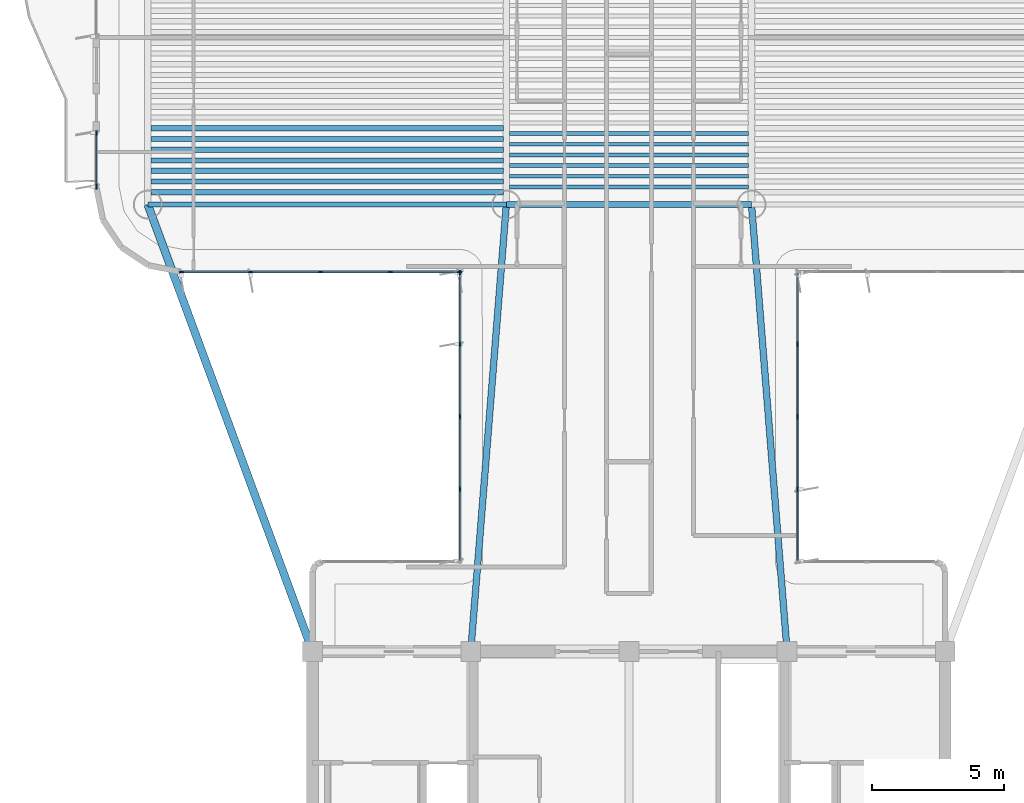
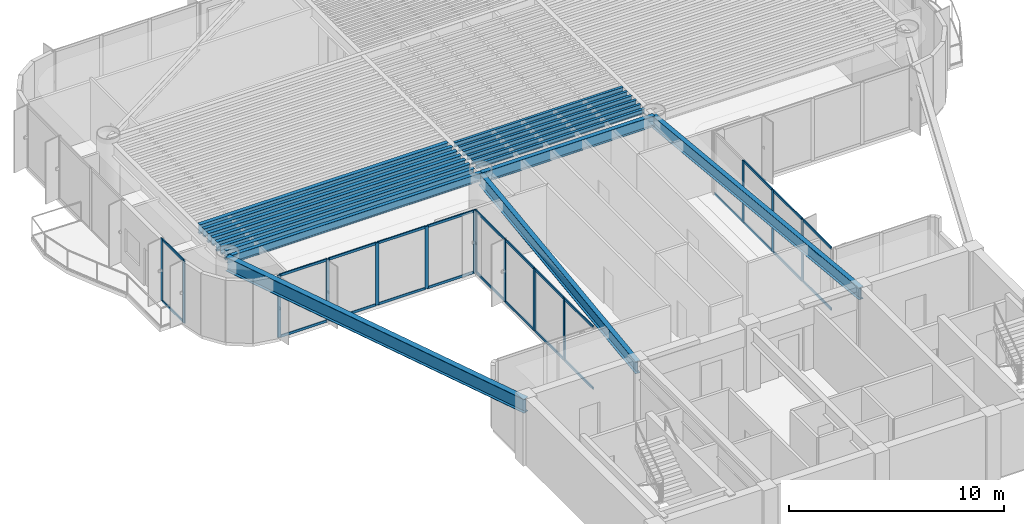
# One storey, part 3 of 15: 39 members, 18 beams, 4 elements without a shape of their own.
"""IFC4 building model written with IfcOpenShell, lengths in metres."""

from ifc_helpers import new_model, si_unit, direction, frame, origin, origin_2d, place, context, subcontext, project, spatial, rectangle, i_section, extrude, source, transform, mapped, material, layer, layer_set, material_profile, profile_set, type_object, element, aggregate, save


model = new_model("IFC4")

# Units and contexts
model_context = context("Model", 3, precision=1e-05, world=origin(), true_north=direction((0.0, 1.0)))
body_context = subcontext(model_context, "Body", "Model", "MODEL_VIEW")
ifc_project = project(units=[si_unit("LENGTHUNIT", "METRE"), si_unit("AREAUNIT", "SQUARE_METRE"), si_unit("VOLUMEUNIT", "CUBIC_METRE"), si_unit("PLANEANGLEUNIT", "RADIAN"), si_unit("MASSUNIT", "GRAM", prefix="KILO")], contexts=[model_context])

# Site, building, storey
site_placement = place(None, origin())
site = spatial("IfcSite", under=ifc_project, at=site_placement, CompositionType="ELEMENT")
building_placement = place(site_placement, origin())
building = spatial("IfcBuilding", under=site, at=building_placement, Name="Brelvock Crest Care Tower", CompositionType="ELEMENT")
storey_placement = place(building_placement, frame((0.0, 0.0, 163.97998046875)))
storey = spatial("IfcBuildingStorey", under=building, at=storey_placement, Name="L41", CompositionType="ELEMENT", Elevation=163.97998046875)

# Beams
ifc_material_1 = material(Name="Steel Grade 350", Category="steel")
ifc_material_profile_1 = material_profile(ifc_material_1, i_section(OverallWidth=0.22900390625, OverallDepth=0.612060546875, WebThickness=0.011962890625, FlangeThickness=0.01953125, FilletRadius=0.013916015625, at=origin_2d()), Name="610UB125")
ifc_profile_set_1 = profile_set([ifc_material_profile_1], Name="Steel Grade 350")
beam_type_1 = type_object("IfcBeamType", Name="BM-G1", PredefinedType="BEAM", material=ifc_profile_set_1)
shared_shape_1 = source(origin(), body_context, "Body", "SweptSolid", [
    extrude(i_section(OverallWidth=0.22900390625, OverallDepth=0.612060546875, WebThickness=0.011962890625, FlangeThickness=0.01953125, FilletRadius=0.013916015625, at=origin_2d()), origin(), (0.0, 0.0, 1.0), 9.2998046875),
])
beam_1_placement = place(storey_placement, frame((31.35009765625, 34.949951171875, 3.22412109375), z_axis=(1.0, 0.0, 0.0), x_axis=(0.0, 1.0, 0.0)))
element("IfcBeam", 1, at=beam_1_placement, inside=storey, type_object=beam_type_1, Name="BM-TWR-L41-05", PredefinedType="BEAM", context=body_context, shape_type="MappedRepresentation", body=[
    mapped(shared_shape_1, transform((0.0, 0.0, 0.0), x_axis=(1.0, 0.0, 0.0), y_axis=(0.0, 1.0, 0.0), z_axis=(0.0, 0.0, 1.0), scale=1.0)),
])
ifc_material_profile_2 = material_profile(ifc_material_1, i_section(OverallWidth=0.14599609375, OverallDepth=0.256103515625, WebThickness=0.00634765625, FlangeThickness=0.010986328125, FilletRadius=0.0087890625, at=origin_2d()), Name="250UB37.3")
ifc_profile_set_2 = profile_set([ifc_material_profile_2], Name="Steel Grade 350")
beam_type_2 = type_object("IfcBeamType", Name="BM-J3", PredefinedType="JOIST", material=ifc_profile_set_2)
shared_shape_2 = source(origin(), body_context, "Body", "SweptSolid", [
    extrude(i_section(OverallWidth=0.14599609375, OverallDepth=0.256103515625, WebThickness=0.00634765625, FlangeThickness=0.010986328125, FilletRadius=0.0087890625, at=origin_2d()), origin(), (0.0, 0.0, 1.0), 9.06982421875),
])
for number, where, z_axis, x_axis, name in (
    (2, (31.465087890625, 35.618896484375, 3.402099609375), (1.0, 0.0, 0.0), (0.0, 1.0, 0.0), "BM-JH-L41-1"),
    (3, (31.465087890625, 36.02392578125, 3.402099609375), (1.0, 0.0, 0.0), (0.0, 1.0, 0.0), "BM-JH-L41-2"),
    (4, (31.465087890625, 36.42919921875, 3.402099609375), (1.0, 0.0, 0.0), (0.0, 1.0, 0.0), "BM-JH-L41-3"),
    (5, (31.465087890625, 36.834228515625, 3.402099609375), (1.0, 0.0, 0.0), (0.0, 1.0, 0.0), "BM-JH-L41-4"),
    (6, (31.465087890625, 37.239501953125, 3.402099609375), (1.0, 0.0, 0.0), (0.0, 1.0, 0.0), "BM-JH-L41-5"),
    (7, (31.465087890625, 37.64453125, 3.402099609375), (1.0, 0.0, 0.0), (0.0, 1.0, 0.0), "BM-JH-L41-6"),
):
    element("IfcBeam", number, at=place(storey_placement, frame(where, z_axis=z_axis, x_axis=x_axis)), inside=storey, type_object=beam_type_2, Name=name, PredefinedType="JOIST", context=body_context, shape_type="MappedRepresentation", body=[
        mapped(shared_shape_2, transform((0.0, 0.0, 0.0), x_axis=(1.0, 0.0, 0.0), y_axis=(0.0, 1.0, 0.0), z_axis=(0.0, 0.0, 1.0), scale=1.0)),
    ])
ifc_material_profile_3 = material_profile(ifc_material_1, i_section(OverallWidth=0.208984375, OverallDepth=0.532958984375, WebThickness=0.01025390625, FlangeThickness=0.015625, FilletRadius=0.013916015625, at=origin_2d()), Name="530UB92.4")
ifc_profile_set_3 = profile_set([ifc_material_profile_3], Name="Steel Grade 350")
beam_type_3 = type_object("IfcBeamType", Name="BM-G2", PredefinedType="BEAM", material=ifc_profile_set_3)
shared_shape_3 = source(origin(), body_context, "Body", "SweptSolid", [
    extrude(i_section(OverallWidth=0.208984375, OverallDepth=0.532958984375, WebThickness=0.01025390625, FlangeThickness=0.015625, FilletRadius=0.013916015625, at=origin_2d()), origin(), (0.0, 0.0, 1.0), 13.3701171875),
])
for number, where, z_axis, x_axis, name in (
    (8, (17.864990234375, 35.416259765625, 3.263427734375), (1.0, 0.0, 0.0), (0.0, 1.0, 0.0), "BM-JW-L41-1"),
    (9, (17.864990234375, 36.2265625, 3.263427734375), (1.0, 0.0, 0.0), (0.0, 1.0, 0.0), "BM-JW-L41-3"),
    (10, (17.864990234375, 37.036865234375, 3.263427734375), (1.0, 0.0, 0.0), (0.0, 1.0, 0.0), "BM-JW-L41-5"),
    (11, (17.864990234375, 37.84716796875, 3.263427734375), (1.0, 0.0, 0.0), (0.0, 1.0, 0.0), "BM-JW-L41-7"),
):
    element("IfcBeam", number, at=place(storey_placement, frame(where, z_axis=z_axis, x_axis=x_axis)), inside=storey, type_object=beam_type_3, Name=name, PredefinedType="BEAM", context=body_context, shape_type="MappedRepresentation", body=[
        mapped(shared_shape_3, transform((0.0, 0.0, 0.0), x_axis=(1.0, 0.0, 0.0), y_axis=(0.0, 1.0, 0.0), z_axis=(0.0, 0.0, 1.0), scale=1.0)),
    ])
ifc_material_profile_4 = material_profile(ifc_material_1, i_section(OverallWidth=0.19091796875, OverallDepth=0.4599609375, WebThickness=0.010009765625, FlangeThickness=0.01611328125, FilletRadius=0.011474609375, at=origin_2d()), Name="460UB82.1")
ifc_profile_set_4 = profile_set([ifc_material_profile_4], Name="Steel Grade 350")
beam_type_4 = type_object("IfcBeamType", Name="BM-G3", PredefinedType="BEAM", material=ifc_profile_set_4)
shared_shape_4 = source(origin(), body_context, "Body", "SweptSolid", [
    extrude(i_section(OverallWidth=0.19091796875, OverallDepth=0.4599609375, WebThickness=0.010009765625, FlangeThickness=0.01611328125, FilletRadius=0.011474609375, at=origin_2d()), origin(), (0.0, 0.0, 1.0), 13.3701171875),
])
for number, where, z_axis, x_axis, name in (
    (12, (17.864990234375, 35.8212890625, 3.300048828125), (1.0, 0.0, 0.0), (0.0, 1.0, 0.0), "BM-JW-L41-2"),
    (13, (17.864990234375, 36.631591796875, 3.300048828125), (1.0, 0.0, 0.0), (0.0, 1.0, 0.0), "BM-JW-L41-4"),
    (14, (17.864990234375, 37.44189453125, 3.300048828125), (1.0, 0.0, 0.0), (0.0, 1.0, 0.0), "BM-JW-L41-6"),
):
    element("IfcBeam", number, at=place(storey_placement, frame(where, z_axis=z_axis, x_axis=x_axis)), inside=storey, type_object=beam_type_4, Name=name, PredefinedType="BEAM", context=body_context, shape_type="MappedRepresentation", body=[
        mapped(shared_shape_4, transform((0.0, 0.0, 0.0), x_axis=(1.0, 0.0, 0.0), y_axis=(0.0, 1.0, 0.0), z_axis=(0.0, 0.0, 1.0), scale=1.0)),
    ])
ifc_material_profile_5 = material_profile(ifc_material_1, i_section(OverallWidth=0.19091796875, OverallDepth=0.4599609375, WebThickness=0.010009765625, FlangeThickness=0.01611328125, FilletRadius=0.011474609375, at=origin_2d()), Name="460UB82.1")
ifc_profile_set_5 = profile_set([ifc_material_profile_5], Name="Steel Grade 350")
beam_type_5 = type_object("IfcBeamType", Name="BM-SP2", PredefinedType="SPANDREL", material=ifc_profile_set_5)
shared_shape_5 = source(origin(), body_context, "Body", "SweptSolid", [
    extrude(i_section(OverallWidth=0.19091796875, OverallDepth=0.4599609375, WebThickness=0.010009765625, FlangeThickness=0.01611328125, FilletRadius=0.011474609375, at=origin_2d()), origin(), (0.0, 0.0, 1.0), 13.60009765625),
])
beam_2_placement = place(storey_placement, frame((17.75, 34.949951171875, 3.300048828125), z_axis=(1.0, 0.0, 0.0), x_axis=(0.0, 1.0, 0.0)))
element("IfcBeam", 15, at=beam_2_placement, inside=storey, type_object=beam_type_5, Name="BM-TWR-L41-03", PredefinedType="SPANDREL", context=body_context, shape_type="MappedRepresentation", body=[
    mapped(shared_shape_5, transform((0.0, 0.0, 0.0), x_axis=(1.0, 0.0, 0.0), y_axis=(0.0, 1.0, 0.0), z_axis=(0.0, 0.0, 1.0), scale=1.0)),
])
ifc_material_profile_6 = material_profile(ifc_material_1, i_section(OverallWidth=0.25, OverallDepth=0.699951171875, WebThickness=0.011962890625, FlangeThickness=0.02001953125, at=origin_2d()), Name="700WB150")
ifc_profile_set_6 = profile_set([ifc_material_profile_6], Name="Steel Grade 350")
beam_type_6 = type_object("IfcBeamType", Name="BM-G4", PredefinedType="BEAM", material=ifc_profile_set_6)
shared_shape_6 = source(origin(), body_context, "Body", "SweptSolid", [
    extrude(i_section(OverallWidth=0.25, OverallDepth=0.699951171875, WebThickness=0.011962890625, FlangeThickness=0.02001953125, at=origin_2d()), origin(), (0.0, 0.0, 1.0), 17.003662109375),
])
for number, where, z_axis, x_axis, name in (
    (16, (30.0, 18.0, 3.179931640625), (0.079400530776, 0.996842793881, 0.0), (-0.996842793881, 0.079400530776, 0.0), "BM-THRW-L41"),
    (17, (42.0, 18.0, 3.179931640625), (-0.079400530776, 0.996842793881, 0.0), (-0.996842793881, -0.079400530776, 0.0), "BM-THRE-L41"),
):
    element("IfcBeam", number, at=place(storey_placement, frame(where, z_axis=z_axis, x_axis=x_axis)), inside=storey, type_object=beam_type_6, Name=name, PredefinedType="BEAM", context=body_context, shape_type="MappedRepresentation", body=[
        mapped(shared_shape_6, transform((0.0, 0.0, 0.0), x_axis=(1.0, 0.0, 0.0), y_axis=(0.0, 1.0, 0.0), z_axis=(0.0, 0.0, 1.0), scale=1.0)),
    ])
ifc_material_profile_7 = material_profile(ifc_material_1, i_section(OverallWidth=0.300048828125, OverallDepth=0.800048828125, WebThickness=0.013916015625, FlangeThickness=0.02197265625, at=origin_2d()), Name="800WB192")
ifc_profile_set_7 = profile_set([ifc_material_profile_7], Name="Steel Grade 350")
beam_type_7 = type_object("IfcBeamType", Name="BM-G5", PredefinedType="BEAM", material=ifc_profile_set_7)
shared_shape_7 = source(origin(), body_context, "Body", "SweptSolid", [
    extrude(i_section(OverallWidth=0.300048828125, OverallDepth=0.800048828125, WebThickness=0.013916015625, FlangeThickness=0.02197265625, at=origin_2d()), origin(), (0.0, 0.0, 1.0), 18.0654296875),
])
beam_3_placement = place(storey_placement, frame((24.0, 18.0, 3.130126953125), z_axis=(-0.345962741309, 0.938248251597, 0.0), x_axis=(-0.938248251597, -0.345962741309, 0.0)))
element("IfcBeam", 18, at=beam_3_placement, inside=storey, type_object=beam_type_7, Name="BM-THRO-W-L41", PredefinedType="BEAM", context=body_context, shape_type="MappedRepresentation", body=[
    mapped(shared_shape_7, transform((0.0, 0.0, 0.0), x_axis=(1.0, 0.0, 0.0), y_axis=(0.0, 1.0, 0.0), z_axis=(0.0, 0.0, 1.0), scale=1.0)),
])

# Curtain wall, members
ifc_material_2 = material(Name="Dark Glass Double Glazed Low-E", Category="glass")
ifc_layer = layer(ifc_material_2, 0.22509765625, Name="CWS-4")
ifc_layer_set = layer_set([ifc_layer], Name="Dark Glass Double Glazed Low-E")
curtain_wall_type = type_object("IfcCurtainWallType", Name="CWS-4", PredefinedType="NOTDEFINED", material=ifc_layer_set)
curtain_wall_1_placement = place(storey_placement, origin())
curtain_wall_1 = element("IfcCurtainWall", 19, at=curtain_wall_1_placement, inside=storey, type_object=curtain_wall_type, Name="L41 Curtain Wall E11", PredefinedType="NOTDEFINED")
ifc_material_3 = material(Name="Aluminium 6063-T6", Category="aluminium")
ifc_material_profile_8 = material_profile(ifc_material_3, rectangle(XDim=0.06005859375, YDim=0.179931640625, at=origin_2d()), Name="ALU60x180")
ifc_profile_set_8 = profile_set([ifc_material_profile_8], Name="Aluminium 6063-T6")
member_type_1 = type_object("IfcMemberType", Name="CWM-2", PredefinedType="MULLION", material=ifc_profile_set_8)
shared_shape_8 = source(origin(), body_context, "Body", "SweptSolid", [
    extrude(rectangle(XDim=0.06005859375, YDim=0.179931640625, at=origin_2d()), origin(), (0.0, 0.0, 1.0), 3.530029296875),
])
member_1_placement = place(storey_placement, frame((29.60009765625, 24.14990234375, 0.0), z_axis=(0.0, 0.0, 1.0), x_axis=(-1.0, 0.0, 0.0)))
member_1 = element("IfcMember", 20, at=member_1_placement, type_object=member_type_1, Name="CW-4 mullion 2", PredefinedType="MULLION", context=body_context, shape_type="MappedRepresentation", body=[
    mapped(shared_shape_8, transform((0.0, 0.0, 0.0), x_axis=(1.0, 0.0, 0.0), y_axis=(0.0, 1.0, 0.0), z_axis=(0.0, 0.0, 1.0), scale=1.0)),
])
member_2_placement = place(storey_placement, frame((29.60009765625, 26.89990234375, 0.0), z_axis=(0.0, 0.0, 1.0), x_axis=(-1.0, 0.0, 0.0)))
member_2 = element("IfcMember", 21, at=member_2_placement, type_object=member_type_1, Name="CW-4 mullion 3", PredefinedType="MULLION", context=body_context, shape_type="MappedRepresentation", body=[
    mapped(shared_shape_8, transform((0.0, 0.0, 0.0), x_axis=(1.0, 0.0, 0.0), y_axis=(0.0, 1.0, 0.0), z_axis=(0.0, 0.0, 1.0), scale=1.0)),
])
member_3_placement = place(storey_placement, frame((29.60009765625, 29.64990234375, 0.0), z_axis=(0.0, 0.0, 1.0), x_axis=(-1.0, 0.0, 0.0)))
member_3 = element("IfcMember", 22, at=member_3_placement, type_object=member_type_1, Name="CW-4 mullion 4", PredefinedType="MULLION", context=body_context, shape_type="MappedRepresentation", body=[
    mapped(shared_shape_8, transform((0.0, 0.0, 0.0), x_axis=(1.0, 0.0, 0.0), y_axis=(0.0, 1.0, 0.0), z_axis=(0.0, 0.0, 1.0), scale=1.0)),
])
member_4_placement = place(storey_placement, frame((29.60009765625, 32.3701171875, 0.0), z_axis=(0.0, 0.0, 1.0), x_axis=(-1.0, 0.0, 0.0)))
member_4 = element("IfcMember", 23, at=member_4_placement, type_object=member_type_1, Name="CW-4 mullion 5", PredefinedType="MULLION", context=body_context, shape_type="MappedRepresentation", body=[
    mapped(shared_shape_8, transform((0.0, 0.0, 0.0), x_axis=(1.0, 0.0, 0.0), y_axis=(0.0, 1.0, 0.0), z_axis=(0.0, 0.0, 1.0), scale=1.0)),
])

curtain_wall_2_placement = place(storey_placement, origin())
curtain_wall_2 = element("IfcCurtainWall", 24, at=curtain_wall_2_placement, inside=storey, type_object=curtain_wall_type, Name="L41 Curtain Wall E12", PredefinedType="NOTDEFINED")
member_5_placement = place(storey_placement, frame((29.570068359375, 32.39990234375, 0.0), z_axis=(0.0, 0.0, 1.0), x_axis=(0.0, -1.0, 0.0)))
member_5 = element("IfcMember", 25, at=member_5_placement, type_object=member_type_1, Name="CW-4 mullion 1", PredefinedType="MULLION", context=body_context, shape_type="MappedRepresentation", body=[
    mapped(shared_shape_8, transform((0.0, 0.0, 0.0), x_axis=(1.0, 0.0, 0.0), y_axis=(0.0, 1.0, 0.0), z_axis=(0.0, 0.0, 1.0), scale=1.0)),
])
member_6_placement = place(storey_placement, frame((26.949951171875, 32.39990234375, 0.0), z_axis=(0.0, 0.0, 1.0), x_axis=(0.0, -1.0, 0.0)))
member_6 = element("IfcMember", 26, at=member_6_placement, type_object=member_type_1, Name="CW-4 mullion 2", PredefinedType="MULLION", context=body_context, shape_type="MappedRepresentation", body=[
    mapped(shared_shape_8, transform((0.0, 0.0, 0.0), x_axis=(1.0, 0.0, 0.0), y_axis=(0.0, 1.0, 0.0), z_axis=(0.0, 0.0, 1.0), scale=1.0)),
])
member_7_placement = place(storey_placement, frame((24.300048828125, 32.39990234375, 0.0), z_axis=(0.0, 0.0, 1.0), x_axis=(0.0, -1.0, 0.0)))
member_7 = element("IfcMember", 27, at=member_7_placement, type_object=member_type_1, Name="CW-4 mullion 3", PredefinedType="MULLION", context=body_context, shape_type="MappedRepresentation", body=[
    mapped(shared_shape_8, transform((0.0, 0.0, 0.0), x_axis=(1.0, 0.0, 0.0), y_axis=(0.0, 1.0, 0.0), z_axis=(0.0, 0.0, 1.0), scale=1.0)),
])
member_8_placement = place(storey_placement, frame((21.64990234375, 32.39990234375, 0.0), z_axis=(0.0, 0.0, 1.0), x_axis=(0.0, -1.0, 0.0)))
member_8 = element("IfcMember", 28, at=member_8_placement, type_object=member_type_1, Name="CW-4 mullion 4", PredefinedType="MULLION", context=body_context, shape_type="MappedRepresentation", body=[
    mapped(shared_shape_8, transform((0.0, 0.0, 0.0), x_axis=(1.0, 0.0, 0.0), y_axis=(0.0, 1.0, 0.0), z_axis=(0.0, 0.0, 1.0), scale=1.0)),
])
member_9_placement = place(storey_placement, frame((19.030029296875, 32.39990234375, 0.0), z_axis=(0.0, 0.0, 1.0), x_axis=(0.0, -1.0, 0.0)))
member_9 = element("IfcMember", 29, at=member_9_placement, type_object=member_type_1, Name="CW-4 mullion 5", PredefinedType="MULLION", context=body_context, shape_type="MappedRepresentation", body=[
    mapped(shared_shape_8, transform((0.0, 0.0, 0.0), x_axis=(1.0, 0.0, 0.0), y_axis=(0.0, 1.0, 0.0), z_axis=(0.0, 0.0, 1.0), scale=1.0)),
])

curtain_wall_3_placement = place(storey_placement, origin())
curtain_wall_3 = element("IfcCurtainWall", 30, at=curtain_wall_3_placement, inside=storey, type_object=curtain_wall_type, Name="L41 Curtain Wall E17A", PredefinedType="NOTDEFINED")
member_10_placement = place(storey_placement, frame((15.800048828125, 35.6298828125, 0.0), z_axis=(0.0, 0.0, 1.0), x_axis=(-1.0, 0.0, 0.0)))
member_10 = element("IfcMember", 31, at=member_10_placement, type_object=member_type_1, Name="CW-4 mullion 1", PredefinedType="MULLION", context=body_context, shape_type="MappedRepresentation", body=[
    mapped(shared_shape_8, transform((0.0, 0.0, 0.0), x_axis=(1.0, 0.0, 0.0), y_axis=(0.0, 1.0, 0.0), z_axis=(0.0, 0.0, 1.0), scale=1.0)),
])
member_11_placement = place(storey_placement, frame((15.800048828125, 37.669921875, 0.0), z_axis=(0.0, 0.0, 1.0), x_axis=(-1.0, 0.0, 0.0)))
member_11 = element("IfcMember", 32, at=member_11_placement, type_object=member_type_1, Name="CW-4 mullion 2", PredefinedType="MULLION", context=body_context, shape_type="MappedRepresentation", body=[
    mapped(shared_shape_8, transform((0.0, 0.0, 0.0), x_axis=(1.0, 0.0, 0.0), y_axis=(0.0, 1.0, 0.0), z_axis=(0.0, 0.0, 1.0), scale=1.0)),
])

curtain_wall_4_placement = place(storey_placement, origin())
curtain_wall_4 = element("IfcCurtainWall", 33, at=curtain_wall_4_placement, inside=storey, type_object=curtain_wall_type, Name="L41 Curtain Wall E45", PredefinedType="NOTDEFINED")
member_12_placement = place(storey_placement, frame((42.39990234375, 29.64990234375, 0.0), z_axis=(0.0, 0.0, 1.0), x_axis=(1.0, 0.0, 0.0)))
member_12 = element("IfcMember", 34, at=member_12_placement, type_object=member_type_1, Name="CW-4 mullion 2", PredefinedType="MULLION", context=body_context, shape_type="MappedRepresentation", body=[
    mapped(shared_shape_8, transform((0.0, 0.0, 0.0), x_axis=(1.0, 0.0, 0.0), y_axis=(0.0, 1.0, 0.0), z_axis=(0.0, 0.0, 1.0), scale=1.0)),
])
member_13_placement = place(storey_placement, frame((42.39990234375, 26.89990234375, 0.0), z_axis=(0.0, 0.0, 1.0), x_axis=(1.0, 0.0, 0.0)))
member_13 = element("IfcMember", 35, at=member_13_placement, type_object=member_type_1, Name="CW-4 mullion 3", PredefinedType="MULLION", context=body_context, shape_type="MappedRepresentation", body=[
    mapped(shared_shape_8, transform((0.0, 0.0, 0.0), x_axis=(1.0, 0.0, 0.0), y_axis=(0.0, 1.0, 0.0), z_axis=(0.0, 0.0, 1.0), scale=1.0)),
])
member_14_placement = place(storey_placement, frame((42.39990234375, 24.14990234375, 0.0), z_axis=(0.0, 0.0, 1.0), x_axis=(1.0, 0.0, 0.0)))
member_14 = element("IfcMember", 36, at=member_14_placement, type_object=member_type_1, Name="CW-4 mullion 4", PredefinedType="MULLION", context=body_context, shape_type="MappedRepresentation", body=[
    mapped(shared_shape_8, transform((0.0, 0.0, 0.0), x_axis=(1.0, 0.0, 0.0), y_axis=(0.0, 1.0, 0.0), z_axis=(0.0, 0.0, 1.0), scale=1.0)),
])

# Member
ifc_material_profile_9 = material_profile(ifc_material_3, rectangle(XDim=0.06005859375, YDim=0.139892578125, at=origin_2d()), Name="ALU60x140")
ifc_profile_set_9 = profile_set([ifc_material_profile_9], Name="Aluminium 6063-T6")
member_type_2 = type_object("IfcMemberType", Name="CWT-2", PredefinedType="USERDEFINED", material=ifc_profile_set_9)
shared_shape_9 = source(origin(), body_context, "Body", "SweptSolid", [
    extrude(rectangle(XDim=0.06005859375, YDim=0.139892578125, at=origin_2d()), origin(), (0.0, 0.0, 1.0), 2.66015625),
])
member_15_placement = place(storey_placement, frame((29.60009765625, 21.4599609375, 0.030029296875), z_axis=(0.0, 1.0, 0.0), x_axis=(-1.0, 0.0, 0.0)))
member_15 = element("IfcMember", 37, at=member_15_placement, type_object=member_type_2, Name="CW-4 transom 1.1", ObjectType="TRANSOM", PredefinedType="USERDEFINED", context=body_context, shape_type="MappedRepresentation", body=[
    mapped(shared_shape_9, transform((0.0, 0.0, 0.0), x_axis=(1.0, 0.0, 0.0), y_axis=(0.0, 1.0, 0.0), z_axis=(0.0, 0.0, 1.0), scale=1.0)),
])

member_16_placement = place(storey_placement, frame((29.60009765625, 21.4599609375, 3.5), z_axis=(0.0, 1.0, 0.0), x_axis=(-1.0, 0.0, 0.0)))
member_16 = element("IfcMember", 38, at=member_16_placement, type_object=member_type_2, Name="CW-4 transom 1.2", ObjectType="TRANSOM", PredefinedType="USERDEFINED", context=body_context, shape_type="MappedRepresentation", body=[
    mapped(shared_shape_9, transform((0.0, 0.0, 0.0), x_axis=(1.0, 0.0, 0.0), y_axis=(0.0, 1.0, 0.0), z_axis=(0.0, 0.0, 1.0), scale=1.0)),
])

member_17_placement = place(storey_placement, frame((29.60009765625, 29.679931640625, 0.030029296875), z_axis=(0.0, 1.0, 0.0), x_axis=(-1.0, 0.0, 0.0)))
member_17 = element("IfcMember", 39, at=member_17_placement, type_object=member_type_2, Name="CW-4 transom 4.1", ObjectType="TRANSOM", PredefinedType="USERDEFINED", context=body_context, shape_type="MappedRepresentation", body=[
    mapped(shared_shape_9, transform((0.0, 0.0, 0.0), x_axis=(1.0, 0.0, 0.0), y_axis=(0.0, 1.0, 0.0), z_axis=(0.0, 0.0, 1.0), scale=1.0)),
])

member_18_placement = place(storey_placement, frame((29.60009765625, 29.679931640625, 3.5), z_axis=(0.0, 1.0, 0.0), x_axis=(-1.0, 0.0, 0.0)))
member_18 = element("IfcMember", 40, at=member_18_placement, type_object=member_type_2, Name="CW-4 transom 4.2", ObjectType="TRANSOM", PredefinedType="USERDEFINED", context=body_context, shape_type="MappedRepresentation", body=[
    mapped(shared_shape_9, transform((0.0, 0.0, 0.0), x_axis=(1.0, 0.0, 0.0), y_axis=(0.0, 1.0, 0.0), z_axis=(0.0, 0.0, 1.0), scale=1.0)),
])

member_19_placement = place(storey_placement, frame((42.39990234375, 32.340087890625, 0.030029296875), z_axis=(0.0, -1.0, 0.0), x_axis=(1.0, 0.0, 0.0)))
member_19 = element("IfcMember", 41, at=member_19_placement, type_object=member_type_2, Name="CW-4 transom 1.1", ObjectType="TRANSOM", PredefinedType="USERDEFINED", context=body_context, shape_type="MappedRepresentation", body=[
    mapped(shared_shape_9, transform((0.0, 0.0, 0.0), x_axis=(1.0, 0.0, 0.0), y_axis=(0.0, 1.0, 0.0), z_axis=(0.0, 0.0, 1.0), scale=1.0)),
])

member_20_placement = place(storey_placement, frame((42.39990234375, 24.1201171875, 0.030029296875), z_axis=(0.0, -1.0, 0.0), x_axis=(1.0, 0.0, 0.0)))
member_20 = element("IfcMember", 42, at=member_20_placement, type_object=member_type_2, Name="CW-4 transom 4.1", ObjectType="TRANSOM", PredefinedType="USERDEFINED", context=body_context, shape_type="MappedRepresentation", body=[
    mapped(shared_shape_9, transform((0.0, 0.0, 0.0), x_axis=(1.0, 0.0, 0.0), y_axis=(0.0, 1.0, 0.0), z_axis=(0.0, 0.0, 1.0), scale=1.0)),
])

member_21_placement = place(storey_placement, frame((42.39990234375, 24.1201171875, 3.5), z_axis=(0.0, -1.0, 0.0), x_axis=(1.0, 0.0, 0.0)))
member_21 = element("IfcMember", 43, at=member_21_placement, type_object=member_type_2, Name="CW-4 transom 4.2", ObjectType="TRANSOM", PredefinedType="USERDEFINED", context=body_context, shape_type="MappedRepresentation", body=[
    mapped(shared_shape_9, transform((0.0, 0.0, 0.0), x_axis=(1.0, 0.0, 0.0), y_axis=(0.0, 1.0, 0.0), z_axis=(0.0, 0.0, 1.0), scale=1.0)),
])

shared_shape_10 = source(origin(), body_context, "Body", "SweptSolid", [
    extrude(rectangle(XDim=0.06005859375, YDim=0.139892578125, at=origin_2d()), origin(), (0.0, 0.0, 1.0), 2.690185546875),
])
member_22_placement = place(storey_placement, frame((29.60009765625, 24.179931640625, 0.030029296875), z_axis=(0.0, 1.0, 0.0), x_axis=(-1.0, 0.0, 0.0)))
member_22 = element("IfcMember", 44, at=member_22_placement, type_object=member_type_2, Name="CW-4 transom 2.1", ObjectType="TRANSOM", PredefinedType="USERDEFINED", context=body_context, shape_type="MappedRepresentation", body=[
    mapped(shared_shape_10, transform((0.0, 0.0, 0.0), x_axis=(1.0, 0.0, 0.0), y_axis=(0.0, 1.0, 0.0), z_axis=(0.0, 0.0, 1.0), scale=1.0)),
])

member_23_placement = place(storey_placement, frame((29.60009765625, 24.179931640625, 3.5), z_axis=(0.0, 1.0, 0.0), x_axis=(-1.0, 0.0, 0.0)))
member_23 = element("IfcMember", 45, at=member_23_placement, type_object=member_type_2, Name="CW-4 transom 2.2", ObjectType="TRANSOM", PredefinedType="USERDEFINED", context=body_context, shape_type="MappedRepresentation", body=[
    mapped(shared_shape_10, transform((0.0, 0.0, 0.0), x_axis=(1.0, 0.0, 0.0), y_axis=(0.0, 1.0, 0.0), z_axis=(0.0, 0.0, 1.0), scale=1.0)),
])

member_24_placement = place(storey_placement, frame((29.60009765625, 26.929931640625, 0.030029296875), z_axis=(0.0, 1.0, 0.0), x_axis=(-1.0, 0.0, 0.0)))
member_24 = element("IfcMember", 46, at=member_24_placement, type_object=member_type_2, Name="CW-4 transom 3.1", ObjectType="TRANSOM", PredefinedType="USERDEFINED", context=body_context, shape_type="MappedRepresentation", body=[
    mapped(shared_shape_10, transform((0.0, 0.0, 0.0), x_axis=(1.0, 0.0, 0.0), y_axis=(0.0, 1.0, 0.0), z_axis=(0.0, 0.0, 1.0), scale=1.0)),
])

member_25_placement = place(storey_placement, frame((29.60009765625, 26.929931640625, 3.5), z_axis=(0.0, 1.0, 0.0), x_axis=(-1.0, 0.0, 0.0)))
member_25 = element("IfcMember", 47, at=member_25_placement, type_object=member_type_2, Name="CW-4 transom 3.2", ObjectType="TRANSOM", PredefinedType="USERDEFINED", context=body_context, shape_type="MappedRepresentation", body=[
    mapped(shared_shape_10, transform((0.0, 0.0, 0.0), x_axis=(1.0, 0.0, 0.0), y_axis=(0.0, 1.0, 0.0), z_axis=(0.0, 0.0, 1.0), scale=1.0)),
])

aggregate(curtain_wall_1, [member_1, member_2, member_3, member_4, member_15, member_16, member_22, member_23, member_24, member_25, member_17, member_18])

member_26_placement = place(storey_placement, frame((42.39990234375, 29.6201171875, 0.030029296875), z_axis=(0.0, -1.0, 0.0), x_axis=(1.0, 0.0, 0.0)))
member_26 = element("IfcMember", 48, at=member_26_placement, type_object=member_type_2, Name="CW-4 transom 2.1", ObjectType="TRANSOM", PredefinedType="USERDEFINED", context=body_context, shape_type="MappedRepresentation", body=[
    mapped(shared_shape_10, transform((0.0, 0.0, 0.0), x_axis=(1.0, 0.0, 0.0), y_axis=(0.0, 1.0, 0.0), z_axis=(0.0, 0.0, 1.0), scale=1.0)),
])

member_27_placement = place(storey_placement, frame((42.39990234375, 29.6201171875, 3.5), z_axis=(0.0, -1.0, 0.0), x_axis=(1.0, 0.0, 0.0)))
member_27 = element("IfcMember", 49, at=member_27_placement, type_object=member_type_2, Name="CW-4 transom 2.2", ObjectType="TRANSOM", PredefinedType="USERDEFINED", context=body_context, shape_type="MappedRepresentation", body=[
    mapped(shared_shape_10, transform((0.0, 0.0, 0.0), x_axis=(1.0, 0.0, 0.0), y_axis=(0.0, 1.0, 0.0), z_axis=(0.0, 0.0, 1.0), scale=1.0)),
])

member_28_placement = place(storey_placement, frame((42.39990234375, 26.8701171875, 0.030029296875), z_axis=(0.0, -1.0, 0.0), x_axis=(1.0, 0.0, 0.0)))
member_28 = element("IfcMember", 50, at=member_28_placement, type_object=member_type_2, Name="CW-4 transom 3.1", ObjectType="TRANSOM", PredefinedType="USERDEFINED", context=body_context, shape_type="MappedRepresentation", body=[
    mapped(shared_shape_10, transform((0.0, 0.0, 0.0), x_axis=(1.0, 0.0, 0.0), y_axis=(0.0, 1.0, 0.0), z_axis=(0.0, 0.0, 1.0), scale=1.0)),
])

member_29_placement = place(storey_placement, frame((42.39990234375, 26.8701171875, 3.5), z_axis=(0.0, -1.0, 0.0), x_axis=(1.0, 0.0, 0.0)))
member_29 = element("IfcMember", 51, at=member_29_placement, type_object=member_type_2, Name="CW-4 transom 3.2", ObjectType="TRANSOM", PredefinedType="USERDEFINED", context=body_context, shape_type="MappedRepresentation", body=[
    mapped(shared_shape_10, transform((0.0, 0.0, 0.0), x_axis=(1.0, 0.0, 0.0), y_axis=(0.0, 1.0, 0.0), z_axis=(0.0, 0.0, 1.0), scale=1.0)),
])

aggregate(curtain_wall_4, [member_12, member_13, member_14, member_19, member_26, member_27, member_28, member_29, member_20, member_21])

shared_shape_11 = source(origin(), body_context, "Body", "SweptSolid", [
    extrude(rectangle(XDim=0.06005859375, YDim=0.139892578125, at=origin_2d()), origin(), (0.0, 0.0, 1.0), 2.56005859375),
])
member_30_placement = place(storey_placement, frame((29.5400390625, 32.39990234375, 0.030029296875), z_axis=(-1.0, 0.0, 0.0), x_axis=(0.0, -1.0, 0.0)))
member_30 = element("IfcMember", 52, at=member_30_placement, type_object=member_type_2, Name="CW-4 transom 1.1", ObjectType="TRANSOM", PredefinedType="USERDEFINED", context=body_context, shape_type="MappedRepresentation", body=[
    mapped(shared_shape_11, transform((0.0, 0.0, 0.0), x_axis=(1.0, 0.0, 0.0), y_axis=(0.0, 1.0, 0.0), z_axis=(0.0, 0.0, 1.0), scale=1.0)),
])

member_31_placement = place(storey_placement, frame((29.5400390625, 32.39990234375, 3.5), z_axis=(-1.0, 0.0, 0.0), x_axis=(0.0, -1.0, 0.0)))
member_31 = element("IfcMember", 53, at=member_31_placement, type_object=member_type_2, Name="CW-4 transom 1.2", ObjectType="TRANSOM", PredefinedType="USERDEFINED", context=body_context, shape_type="MappedRepresentation", body=[
    mapped(shared_shape_11, transform((0.0, 0.0, 0.0), x_axis=(1.0, 0.0, 0.0), y_axis=(0.0, 1.0, 0.0), z_axis=(0.0, 0.0, 1.0), scale=1.0)),
])

member_32_placement = place(storey_placement, frame((21.6201171875, 32.39990234375, 0.030029296875), z_axis=(-1.0, 0.0, 0.0), x_axis=(0.0, -1.0, 0.0)))
member_32 = element("IfcMember", 54, at=member_32_placement, type_object=member_type_2, Name="CW-4 transom 4.1", ObjectType="TRANSOM", PredefinedType="USERDEFINED", context=body_context, shape_type="MappedRepresentation", body=[
    mapped(shared_shape_11, transform((0.0, 0.0, 0.0), x_axis=(1.0, 0.0, 0.0), y_axis=(0.0, 1.0, 0.0), z_axis=(0.0, 0.0, 1.0), scale=1.0)),
])

member_33_placement = place(storey_placement, frame((21.6201171875, 32.39990234375, 3.5), z_axis=(-1.0, 0.0, 0.0), x_axis=(0.0, -1.0, 0.0)))
member_33 = element("IfcMember", 55, at=member_33_placement, type_object=member_type_2, Name="CW-4 transom 4.2", ObjectType="TRANSOM", PredefinedType="USERDEFINED", context=body_context, shape_type="MappedRepresentation", body=[
    mapped(shared_shape_11, transform((0.0, 0.0, 0.0), x_axis=(1.0, 0.0, 0.0), y_axis=(0.0, 1.0, 0.0), z_axis=(0.0, 0.0, 1.0), scale=1.0)),
])

shared_shape_12 = source(origin(), body_context, "Body", "SweptSolid", [
    extrude(rectangle(XDim=0.06005859375, YDim=0.139892578125, at=origin_2d()), origin(), (0.0, 0.0, 1.0), 2.58984375),
])
member_34_placement = place(storey_placement, frame((26.919921875, 32.39990234375, 0.030029296875), z_axis=(-1.0, 0.0, 0.0), x_axis=(0.0, -1.0, 0.0)))
member_34 = element("IfcMember", 56, at=member_34_placement, type_object=member_type_2, Name="CW-4 transom 2.1", ObjectType="TRANSOM", PredefinedType="USERDEFINED", context=body_context, shape_type="MappedRepresentation", body=[
    mapped(shared_shape_12, transform((0.0, 0.0, 0.0), x_axis=(1.0, 0.0, 0.0), y_axis=(0.0, 1.0, 0.0), z_axis=(0.0, 0.0, 1.0), scale=1.0)),
])

member_35_placement = place(storey_placement, frame((26.919921875, 32.39990234375, 3.5), z_axis=(-1.0, 0.0, 0.0), x_axis=(0.0, -1.0, 0.0)))
member_35 = element("IfcMember", 57, at=member_35_placement, type_object=member_type_2, Name="CW-4 transom 2.2", ObjectType="TRANSOM", PredefinedType="USERDEFINED", context=body_context, shape_type="MappedRepresentation", body=[
    mapped(shared_shape_12, transform((0.0, 0.0, 0.0), x_axis=(1.0, 0.0, 0.0), y_axis=(0.0, 1.0, 0.0), z_axis=(0.0, 0.0, 1.0), scale=1.0)),
])

shared_shape_13 = source(origin(), body_context, "Body", "SweptSolid", [
    extrude(rectangle(XDim=0.06005859375, YDim=0.139892578125, at=origin_2d()), origin(), (0.0, 0.0, 1.0), 2.590087890625),
])
member_36_placement = place(storey_placement, frame((24.27001953125, 32.39990234375, 0.030029296875), z_axis=(-1.0, 0.0, 0.0), x_axis=(0.0, -1.0, 0.0)))
member_36 = element("IfcMember", 58, at=member_36_placement, type_object=member_type_2, Name="CW-4 transom 3.1", ObjectType="TRANSOM", PredefinedType="USERDEFINED", context=body_context, shape_type="MappedRepresentation", body=[
    mapped(shared_shape_13, transform((0.0, 0.0, 0.0), x_axis=(1.0, 0.0, 0.0), y_axis=(0.0, 1.0, 0.0), z_axis=(0.0, 0.0, 1.0), scale=1.0)),
])

member_37_placement = place(storey_placement, frame((24.27001953125, 32.39990234375, 3.5), z_axis=(-1.0, 0.0, 0.0), x_axis=(0.0, -1.0, 0.0)))
member_37 = element("IfcMember", 59, at=member_37_placement, type_object=member_type_2, Name="CW-4 transom 3.2", ObjectType="TRANSOM", PredefinedType="USERDEFINED", context=body_context, shape_type="MappedRepresentation", body=[
    mapped(shared_shape_13, transform((0.0, 0.0, 0.0), x_axis=(1.0, 0.0, 0.0), y_axis=(0.0, 1.0, 0.0), z_axis=(0.0, 0.0, 1.0), scale=1.0)),
])

aggregate(curtain_wall_2, [member_5, member_6, member_7, member_8, member_9, member_30, member_31, member_34, member_35, member_36, member_37, member_32, member_33])

shared_shape_14 = source(origin(), body_context, "Body", "SweptSolid", [
    extrude(rectangle(XDim=0.06005859375, YDim=0.139892578125, at=origin_2d()), origin(), (0.0, 0.0, 1.0), 1.97998046875),
])
member_38_placement = place(storey_placement, frame((15.800048828125, 35.659912109375, 0.030029296875), z_axis=(0.0, 1.0, 0.0), x_axis=(-1.0, 0.0, 0.0)))
member_38 = element("IfcMember", 60, at=member_38_placement, type_object=member_type_2, Name="CW-4 transom 1.1", ObjectType="TRANSOM", PredefinedType="USERDEFINED", context=body_context, shape_type="MappedRepresentation", body=[
    mapped(shared_shape_14, transform((0.0, 0.0, 0.0), x_axis=(1.0, 0.0, 0.0), y_axis=(0.0, 1.0, 0.0), z_axis=(0.0, 0.0, 1.0), scale=1.0)),
])

member_39_placement = place(storey_placement, frame((15.800048828125, 35.659912109375, 3.5), z_axis=(0.0, 1.0, 0.0), x_axis=(-1.0, 0.0, 0.0)))
member_39 = element("IfcMember", 61, at=member_39_placement, type_object=member_type_2, Name="CW-4 transom 1.2", ObjectType="TRANSOM", PredefinedType="USERDEFINED", context=body_context, shape_type="MappedRepresentation", body=[
    mapped(shared_shape_14, transform((0.0, 0.0, 0.0), x_axis=(1.0, 0.0, 0.0), y_axis=(0.0, 1.0, 0.0), z_axis=(0.0, 0.0, 1.0), scale=1.0)),
])

aggregate(curtain_wall_3, [member_10, member_11, member_38, member_39])

save(model, "model.ifc")
